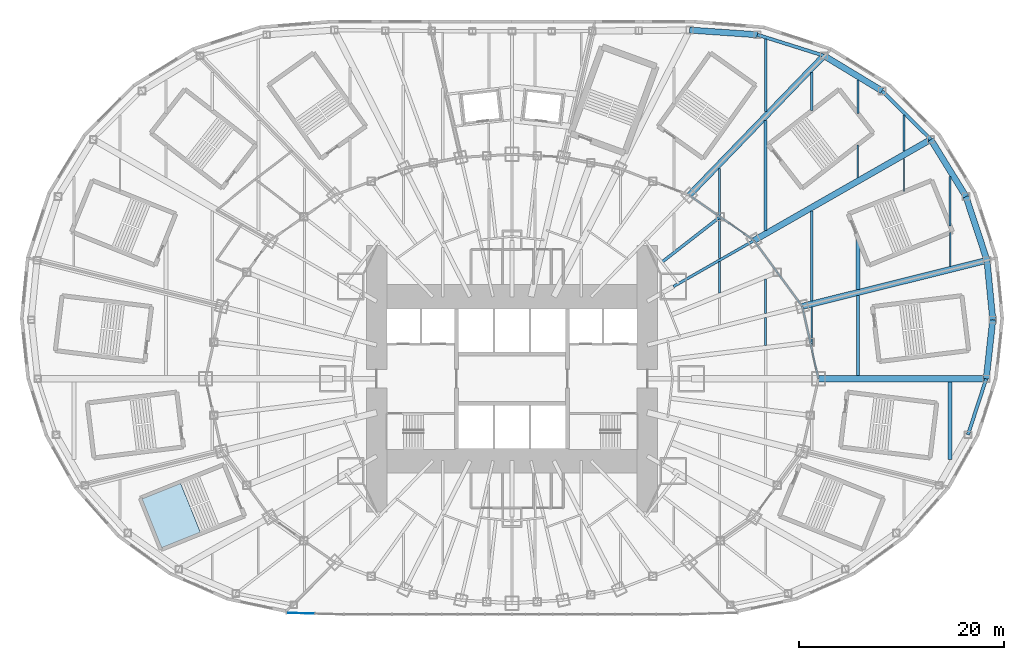
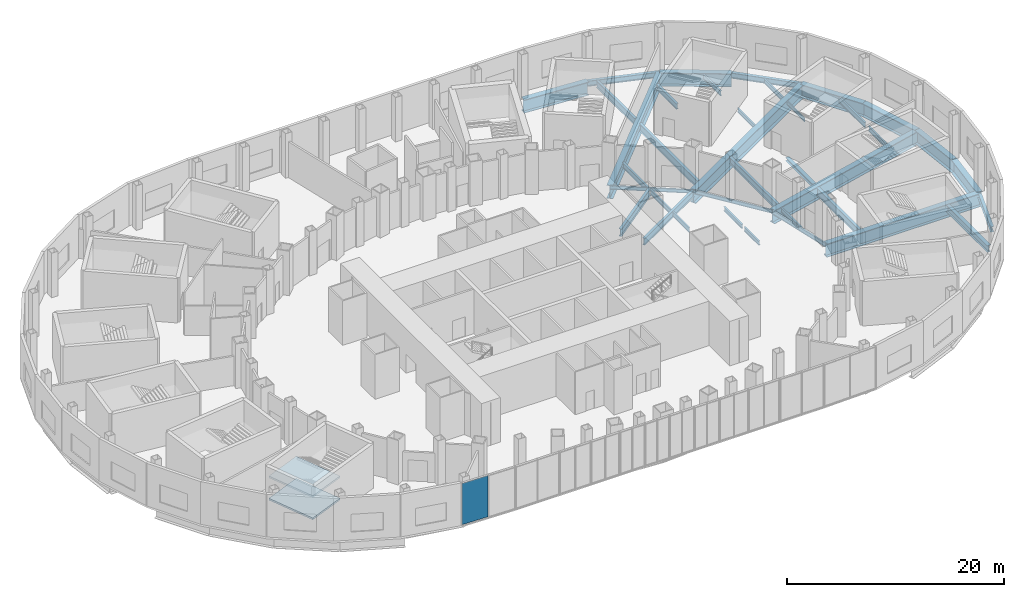
# One storey, part 10 of 73: 40 beams, 2 slabs, 1 plate, 2 elements without a shape of their own.
"""IFC4 building model written with IfcOpenShell, lengths in metres."""

from ifc_helpers import new_model, si_unit, direction, frame, origin, origin_2d, place, context, subcontext, project, spatial, polyline, rectangle, i_section, outline, extrude, material, layer, layer_set, material_profile, profile_set, type_object, element, aggregate, save


model = new_model("IFC4")

# Units and contexts
model_context = context("Model", 3, precision=1e-05, world=origin(), true_north=direction((0.0, 1.0)))
body_context = subcontext(model_context, "Body", "Model", "MODEL_VIEW")
ifc_project = project(units=[si_unit("LENGTHUNIT", "METRE"), si_unit("AREAUNIT", "SQUARE_METRE"), si_unit("VOLUMEUNIT", "CUBIC_METRE"), si_unit("PLANEANGLEUNIT", "RADIAN"), si_unit("MASSUNIT", "GRAM", prefix="KILO")], contexts=[model_context])

# Site, building, storey
site_placement = place(None, origin())
site = spatial("IfcSite", under=ifc_project, at=site_placement, CompositionType="ELEMENT")
building_placement = place(site_placement, origin())
building = spatial("IfcBuilding", under=site, at=building_placement, Name="Lantaw Convention Tower", CompositionType="ELEMENT")
storey_placement = place(building_placement, frame((0.0, 0.0, 22.0)))
storey = spatial("IfcBuildingStorey", under=building, at=storey_placement, Name="L03", CompositionType="ELEMENT", Elevation=22.0)

# Beams
ifc_material_1 = material(Name="Steel ASTM A572 Grade 50", Category="steel")
ifc_material_profile_1 = material_profile(ifc_material_1, i_section(OverallWidth=0.60009765625, OverallDepth=1.5, WebThickness=0.02490234375, FlangeThickness=0.06005859375, at=origin_2d()), Name="PG1500X600X25X60")
ifc_profile_set_1 = profile_set([ifc_material_profile_1], Name="Steel ASTM A572 Grade 50")
beam_type_1 = type_object("IfcBeamType", Name="Beam E PG1500X600X25X60", PredefinedType="SPANDREL", material=ifc_profile_set_1)
beam_1_placement = place(storey_placement, frame((46.2724609375, 0.0, -0.949951171875), z_axis=(0.109673093737, 0.993967712006, 0.0), x_axis=(-0.993967712006, 0.109673093737, 0.0)))
element("IfcBeam", 1, at=beam_1_placement, inside=storey, type_object=beam_type_1, Name="Podium edge beam R00", PredefinedType="SPANDREL", context=body_context, shape_type="SweptSolid", body=[
    extrude(i_section(OverallWidth=0.60009765625, OverallDepth=1.5, WebThickness=0.02490234375, FlangeThickness=0.06005859375, at=origin_2d()), origin(), (0.0, 0.0, 1.0), 5.79443359375),
])
beam_2_placement = place(storey_placement, frame((46.907958984375, 5.759521484375, -0.949951171875), z_axis=(-0.097112121047, 0.995273447825, 0.0), x_axis=(-0.995273447825, -0.097112121047, 0.0)))
element("IfcBeam", 2, at=beam_2_placement, inside=storey, type_object=beam_type_1, Name="Podium edge beam B00", PredefinedType="SPANDREL", context=body_context, shape_type="SweptSolid", body=[
    extrude(i_section(OverallWidth=0.60009765625, OverallDepth=1.5, WebThickness=0.02490234375, FlangeThickness=0.06005859375, at=origin_2d()), origin(), (0.0, 0.0, 1.0), 5.822509765625),
])
beam_3_placement = place(storey_placement, frame((46.342529296875, 11.554443359375, -0.949951171875), z_axis=(-0.312739573604, 0.949838912186, 0.0), x_axis=(-0.949838912186, -0.312739573604, 0.0)))
element("IfcBeam", 3, at=beam_3_placement, inside=storey, type_object=beam_type_1, Name="Podium edge beam R01", PredefinedType="SPANDREL", context=body_context, shape_type="SweptSolid", body=[
    extrude(i_section(OverallWidth=0.60009765625, OverallDepth=1.5, WebThickness=0.02490234375, FlangeThickness=0.06005859375, at=origin_2d()), origin(), (0.0, 0.0, 1.0), 6.55517578125),
])
beam_4_placement = place(storey_placement, frame((44.29248046875, 17.78076171875, -0.949951171875), z_axis=(-0.524178644867, 0.851608330317, 0.0), x_axis=(-0.851608330317, -0.524178644867, 0.0)))
element("IfcBeam", 4, at=beam_4_placement, inside=storey, type_object=beam_type_1, Name="Podium edge beam B01", PredefinedType="SPANDREL", context=body_context, shape_type="SweptSolid", body=[
    extrude(i_section(OverallWidth=0.60009765625, OverallDepth=1.5, WebThickness=0.02490234375, FlangeThickness=0.06005859375, at=origin_2d()), origin(), (0.0, 0.0, 1.0), 6.54052734375),
])
beam_5_placement = place(storey_placement, frame((36.107666015625, 28.081298828125, -0.949951171875), z_axis=(-0.855269526547, 0.518183400893, 0.0), x_axis=(-0.518183400893, -0.855269526547, 0.0)))
element("IfcBeam", 5, at=beam_5_placement, inside=storey, type_object=beam_type_1, Name="Podium edge beam B02", PredefinedType="SPANDREL", context=body_context, shape_type="SweptSolid", body=[
    extrude(i_section(OverallWidth=0.60009765625, OverallDepth=1.5, WebThickness=0.02490234375, FlangeThickness=0.06005859375, at=origin_2d()), origin(), (0.0, 0.0, 1.0), 6.63134765625),
])
beam_6_placement = place(storey_placement, frame((23.940185546875, 33.562744140625, -0.949951171875), z_axis=(-0.997615470709, 0.069017190627, 0.0), x_axis=(-0.069017190627, -0.997615470709, 0.0)))
element("IfcBeam", 6, at=beam_6_placement, inside=storey, type_object=beam_type_1, Name="Podium edge beam B03", PredefinedType="SPANDREL", context=body_context, shape_type="SweptSolid", body=[
    extrude(i_section(OverallWidth=0.60009765625, OverallDepth=1.5, WebThickness=0.02490234375, FlangeThickness=0.06005859375, at=origin_2d()), origin(), (0.0, 0.0, 1.0), 6.6220703125),
])
ifc_material_2 = material(Name="Steel ASTM A992", Category="steel")
ifc_material_profile_2 = material_profile(ifc_material_2, i_section(OverallWidth=0.140380859375, OverallDepth=0.40380859375, WebThickness=0.007080078125, FlangeThickness=0.01123046875, FilletRadius=0.01025390625, at=origin_2d()), Name="W16X31")
ifc_profile_set_2 = profile_set([ifc_material_profile_2], Name="Steel ASTM A992")
beam_type_2 = type_object("IfcBeamType", Name="Beam E W16X31", PredefinedType="SPANDREL", material=ifc_profile_set_2)
beam_7_placement = place(storey_placement, frame((28.31787109375, 7.060302734375, -0.40185546875), z_axis=(-0.591255937291, 0.806483984105, 0.0), x_axis=(-0.806483984105, -0.591255937291, 0.0)))
element("IfcBeam", 7, at=beam_7_placement, inside=storey, type_object=beam_type_2, Name="Edge beam 2", PredefinedType="SPANDREL", context=body_context, shape_type="SweptSolid", body=[
    extrude(i_section(OverallWidth=0.140380859375, OverallDepth=0.40380859375, WebThickness=0.007080078125, FlangeThickness=0.01123046875, FilletRadius=0.01025390625, at=origin_2d()), origin(), (0.0, 0.0, 1.0), 4.126708984375),
])
beam_8_placement = place(storey_placement, frame((25.8779296875, 10.388427734375, -0.40185546875), z_axis=(-0.591286566758, 0.806461527893, 0.0), x_axis=(-0.806461527893, -0.591286566758, 0.0)))
element("IfcBeam", 8, at=beam_8_placement, inside=storey, type_object=beam_type_2, Name="Edge beam 2", PredefinedType="SPANDREL", context=body_context, shape_type="SweptSolid", body=[
    extrude(i_section(OverallWidth=0.140380859375, OverallDepth=0.40380859375, WebThickness=0.007080078125, FlangeThickness=0.01123046875, FilletRadius=0.01025390625, at=origin_2d()), origin(), (0.0, 0.0, 1.0), 3.843994140625),
])
beam_9_placement = place(storey_placement, frame((23.60498046875, 13.488525390625, -0.40185546875), z_axis=(-0.819442856133, 0.573160889744, 0.0), x_axis=(-0.573160889744, -0.819442856133, 0.0)))
element("IfcBeam", 9, at=beam_9_placement, inside=storey, type_object=beam_type_2, Name="Edge beam 3", PredefinedType="SPANDREL", context=body_context, shape_type="SweptSolid", body=[
    extrude(i_section(OverallWidth=0.140380859375, OverallDepth=0.40380859375, WebThickness=0.007080078125, FlangeThickness=0.01123046875, FilletRadius=0.01025390625, at=origin_2d()), origin(), (0.0, 0.0, 1.0), 4.022705078125),
])
beam_10_placement = place(storey_placement, frame((20.30859375, 15.794189453125, -0.40185546875), z_axis=(-0.819409395821, 0.573208724672, 0.0), x_axis=(-0.573208724672, -0.819409395821, 0.0)))
element("IfcBeam", 10, at=beam_10_placement, inside=storey, type_object=beam_type_2, Name="Edge beam 3", PredefinedType="SPANDREL", context=body_context, shape_type="SweptSolid", body=[
    extrude(i_section(OverallWidth=0.140380859375, OverallDepth=0.40380859375, WebThickness=0.007080078125, FlangeThickness=0.01123046875, FilletRadius=0.01025390625, at=origin_2d()), origin(), (0.0, 0.0, 1.0), 3.682861328125),
])
ifc_material_profile_3 = material_profile(ifc_material_2, i_section(OverallWidth=0.15234375, OverallDepth=0.449462890625, WebThickness=0.007568359375, FlangeThickness=0.0107421875, FilletRadius=0.01025390625, at=origin_2d()), Name="W18X35")
ifc_profile_set_3 = profile_set([ifc_material_profile_3], Name="Steel ASTM A992")
beam_type_3 = type_object("IfcBeamType", Name="Beam E W18X35", PredefinedType="SPANDREL", material=ifc_profile_set_3)
beam_11_placement = place(storey_placement, frame((29.89990234375, 0.0, -0.4248046875), z_axis=(-0.218631550323, 0.975807483679, 0.0), x_axis=(-0.975807483679, -0.218631550323, 0.0)))
element("IfcBeam", 11, at=beam_11_placement, inside=storey, type_object=beam_type_3, Name="Edge beam 1", PredefinedType="SPANDREL", context=body_context, shape_type="SweptSolid", body=[
    extrude(i_section(OverallWidth=0.15234375, OverallDepth=0.449462890625, WebThickness=0.007568359375, FlangeThickness=0.0107421875, FilletRadius=0.01025390625, at=origin_2d()), origin(), (0.0, 0.0, 1.0), 3.66162109375),
])
beam_12_placement = place(storey_placement, frame((29.099365234375, 3.572998046875, -0.4248046875), z_axis=(-0.218673326171, 0.97579812278, 0.0), x_axis=(-0.97579812278, -0.218673326171, 0.0)))
element("IfcBeam", 12, at=beam_12_placement, inside=storey, type_object=beam_type_3, Name="Edge beam 1", PredefinedType="SPANDREL", context=body_context, shape_type="SweptSolid", body=[
    extrude(i_section(OverallWidth=0.15234375, OverallDepth=0.449462890625, WebThickness=0.007568359375, FlangeThickness=0.0107421875, FilletRadius=0.01025390625, at=origin_2d()), origin(), (0.0, 0.0, 1.0), 3.57373046875),
])
ifc_material_profile_4 = material_profile(ifc_material_2, i_section(OverallWidth=0.3251953125, OverallDepth=0.612060546875, WebThickness=0.0126953125, FlangeThickness=0.01904296875, FilletRadius=0.0126953125, at=origin_2d()), Name="W24X104")
ifc_profile_set_4 = profile_set([ifc_material_profile_4], Name="Steel ASTM A992")
beam_type_4 = type_object("IfcBeamType", Name="Beam E W24X104", PredefinedType="SPANDREL", material=ifc_profile_set_4)
beam_13_placement = place(storey_placement, frame((40.864013671875, 23.350830078125, -0.506103515625), z_axis=(-0.709033046271, 0.705175254314, 0.0), x_axis=(-0.705175254314, -0.709033046271, 0.0)))
element("IfcBeam", 13, at=beam_13_placement, inside=storey, type_object=beam_type_4, Name="Podium edge beam R02", PredefinedType="SPANDREL", context=body_context, shape_type="SweptSolid", body=[
    extrude(i_section(OverallWidth=0.3251953125, OverallDepth=0.612060546875, WebThickness=0.0126953125, FlangeThickness=0.01904296875, FilletRadius=0.0126953125, at=origin_2d()), origin(), (0.0, 0.0, 1.0), 6.708251953125),
])
beam_14_placement = place(storey_placement, frame((30.43603515625, 31.517578125, -0.506103515625), z_axis=(-0.953841834513, 0.300309431643, 0.0), x_axis=(-0.300309431643, -0.953841834513, 0.0)))
element("IfcBeam", 14, at=beam_14_placement, inside=storey, type_object=beam_type_4, Name="Podium edge beam R03", PredefinedType="SPANDREL", context=body_context, shape_type="SweptSolid", body=[
    extrude(i_section(OverallWidth=0.3251953125, OverallDepth=0.612060546875, WebThickness=0.0126953125, FlangeThickness=0.01904296875, FilletRadius=0.0126953125, at=origin_2d()), origin(), (0.0, 0.0, 1.0), 6.810302734375),
])
beam_15_placement = place(storey_placement, frame((44.488525390625, -5.46240234375, -0.506103515625), z_axis=(0.310448009473, 0.950590360468, 0.0), x_axis=(-0.950590360468, 0.310448009473, 0.0)))
element("IfcBeam", 15, at=beam_15_placement, inside=storey, type_object=beam_type_4, Name="Podium edge beam B23", PredefinedType="SPANDREL", context=body_context, shape_type="SweptSolid", body=[
    extrude(i_section(OverallWidth=0.3251953125, OverallDepth=0.612060546875, WebThickness=0.0126953125, FlangeThickness=0.01904296875, FilletRadius=0.0126953125, at=origin_2d()), origin(), (0.0, 0.0, 1.0), 5.746337890625),
])
ifc_material_profile_5 = material_profile(ifc_material_2, i_section(OverallWidth=0.2666015625, OverallDepth=0.76953125, WebThickness=0.015625, FlangeThickness=0.025390625, FilletRadius=0.0126953125, at=origin_2d()), Name="W30X132")
ifc_profile_set_5 = profile_set([ifc_material_profile_5], Name="Steel ASTM A992")
beam_type_5 = type_object("IfcBeamType", Name="Beam G W30X132", PredefinedType="BEAM", material=ifc_profile_set_5)
beam_16_placement = place(storey_placement, frame((15.75, 9.0, -0.584716796875), z_axis=(0.868244802791, 0.496136032179, 0.0), x_axis=(-0.496136032179, 0.868244802791, 0.0)))
element("IfcBeam", 16, at=beam_16_placement, inside=storey, type_object=beam_type_5, Name="Floor girder on ray 3", PredefinedType="BEAM", context=body_context, shape_type="SweptSolid", body=[
    extrude(i_section(OverallWidth=0.2666015625, OverallDepth=0.76953125, WebThickness=0.015625, FlangeThickness=0.025390625, FilletRadius=0.0126953125, at=origin_2d()), origin(), (0.0, 0.0, 1.0), 9.046875),
])
ifc_material_profile_6 = material_profile(ifc_material_2, i_section(OverallWidth=0.2919921875, OverallDepth=0.845703125, WebThickness=0.015380859375, FlangeThickness=0.0244140625, FilletRadius=0.01513671875, at=origin_2d()), Name="W33X141")
ifc_profile_set_6 = profile_set([ifc_material_profile_6], Name="Steel ASTM A992")
beam_type_6 = type_object("IfcBeamType", Name="Beam G W33X141", PredefinedType="BEAM", material=ifc_profile_set_6)
beam_17_placement = place(storey_placement, frame((14.628173828125, 11.37646484375, -0.622802734375), z_axis=(0.789377792374, 0.613907729961, 0.0), x_axis=(-0.613907729961, 0.789377792374, 0.0)))
element("IfcBeam", 17, at=beam_17_placement, inside=storey, type_object=beam_type_6, Name="Floor girder on bisector 3", PredefinedType="BEAM", context=body_context, shape_type="SweptSolid", body=[
    extrude(i_section(OverallWidth=0.2919921875, OverallDepth=0.845703125, WebThickness=0.015380859375, FlangeThickness=0.0244140625, FilletRadius=0.01513671875, at=origin_2d()), origin(), (0.0, 0.0, 1.0), 7.196044921875),
])
ifc_material_profile_7 = material_profile(ifc_material_2, i_section(OverallWidth=0.396240234375, OverallDepth=0.381103515625, WebThickness=0.01904296875, FlangeThickness=0.0302734375, FilletRadius=0.01513671875, at=origin_2d()), Name="W14X159")
ifc_profile_set_7 = profile_set([ifc_material_profile_7], Name="Steel ASTM A992")
beam_type_7 = type_object("IfcBeamType", Name="Beam J W14X159", PredefinedType="JOIST", material=ifc_profile_set_7)
beam_18_placement = place(storey_placement, frame((33.75, 8.72412109375, -0.390380859375), z_axis=(0.0, 1.0, 0.0), x_axis=(-1.0, 0.0, 0.0)))
element("IfcBeam", 18, at=beam_18_placement, inside=storey, type_object=beam_type_7, Name="Floor joist", PredefinedType="JOIST", context=body_context, shape_type="SweptSolid", body=[
    extrude(i_section(OverallWidth=0.396240234375, OverallDepth=0.381103515625, WebThickness=0.01904296875, FlangeThickness=0.0302734375, FilletRadius=0.01513671875, at=origin_2d()), origin(), (0.0, 0.0, 1.0), 4.986328125),
])
ifc_material_profile_8 = material_profile(ifc_material_2, i_section(OverallWidth=0.140380859375, OverallDepth=0.40380859375, WebThickness=0.007080078125, FlangeThickness=0.01123046875, FilletRadius=0.01025390625, at=origin_2d()), Name="W16X31")
ifc_profile_set_8 = profile_set([ifc_material_profile_8], Name="Steel ASTM A992")
beam_type_8 = type_object("IfcBeamType", Name="Beam J W16X31", PredefinedType="JOIST", material=ifc_profile_set_8)
beam_19_placement = place(storey_placement, frame((38.25, 18.264404296875, -0.40185546875), z_axis=(0.0, 1.0, 0.0), x_axis=(-1.0, 0.0, 0.0)))
element("IfcBeam", 19, at=beam_19_placement, inside=storey, type_object=beam_type_8, Name="Floor joist", PredefinedType="JOIST", context=body_context, shape_type="SweptSolid", body=[
    extrude(i_section(OverallWidth=0.140380859375, OverallDepth=0.40380859375, WebThickness=0.007080078125, FlangeThickness=0.01123046875, FilletRadius=0.01025390625, at=origin_2d()), origin(), (0.0, 0.0, 1.0), 3.247314453125),
])
ifc_material_profile_9 = material_profile(ifc_material_2, i_section(OverallWidth=0.15234375, OverallDepth=0.449462890625, WebThickness=0.007568359375, FlangeThickness=0.0107421875, FilletRadius=0.01025390625, at=origin_2d()), Name="W18X35")
ifc_profile_set_9 = profile_set([ifc_material_profile_9], Name="Steel ASTM A992")
beam_type_9 = type_object("IfcBeamType", Name="Beam J W18X35", PredefinedType="JOIST", material=ifc_profile_set_9)
beam_20_placement = place(storey_placement, frame((33.75, 19.63134765625, -0.4248046875), z_axis=(0.0, 1.0, 0.0), x_axis=(-1.0, 0.0, 0.0)))
element("IfcBeam", 20, at=beam_20_placement, inside=storey, type_object=beam_type_9, Name="Floor joist", PredefinedType="JOIST", context=body_context, shape_type="SweptSolid", body=[
    extrude(i_section(OverallWidth=0.15234375, OverallDepth=0.449462890625, WebThickness=0.007568359375, FlangeThickness=0.0107421875, FilletRadius=0.01025390625, at=origin_2d()), origin(), (0.0, 0.0, 1.0), 3.19580078125),
])
ifc_material_profile_10 = material_profile(ifc_material_2, i_section(OverallWidth=0.1904296875, OverallDepth=0.457275390625, WebThickness=0.009033203125, FlangeThickness=0.014404296875, FilletRadius=0.01025390625, at=origin_2d()), Name="W18X50")
ifc_profile_set_10 = profile_set([ifc_material_profile_10], Name="Steel ASTM A992")
beam_type_10 = type_object("IfcBeamType", Name="Beam J W18X50", PredefinedType="JOIST", material=ifc_profile_set_10)
beam_21_placement = place(storey_placement, frame((24.75, 3.251220703125, -0.4287109375), z_axis=(0.0, 1.0, 0.0), x_axis=(-1.0, 0.0, 0.0)))
element("IfcBeam", 21, at=beam_21_placement, inside=storey, type_object=beam_type_10, Name="Floor joist", PredefinedType="JOIST", context=body_context, shape_type="SweptSolid", body=[
    extrude(i_section(OverallWidth=0.1904296875, OverallDepth=0.457275390625, WebThickness=0.009033203125, FlangeThickness=0.014404296875, FilletRadius=0.01025390625, at=origin_2d()), origin(), (0.0, 0.0, 1.0), 2.71142578125),
])
beam_22_placement = place(storey_placement, frame((24.75, 6.37890625, -0.4287109375), z_axis=(0.0, 1.0, 0.0), x_axis=(-1.0, 0.0, 0.0)))
element("IfcBeam", 22, at=beam_22_placement, inside=storey, type_object=beam_type_10, Name="Floor joist", PredefinedType="JOIST", context=body_context, shape_type="SweptSolid", body=[
    extrude(i_section(OverallWidth=0.1904296875, OverallDepth=0.457275390625, WebThickness=0.009033203125, FlangeThickness=0.014404296875, FilletRadius=0.01025390625, at=origin_2d()), origin(), (0.0, 0.0, 1.0), 3.32958984375),
])
ifc_material_profile_11 = material_profile(ifc_material_2, i_section(OverallWidth=0.1650390625, OverallDepth=0.52587890625, WebThickness=0.0087890625, FlangeThickness=0.011474609375, FilletRadius=0.0126953125, at=origin_2d()), Name="W21X44")
ifc_profile_set_11 = profile_set([ifc_material_profile_11], Name="Steel ASTM A992")
beam_type_11 = type_object("IfcBeamType", Name="Beam J W21X44", PredefinedType="JOIST", material=ifc_profile_set_11)
beam_23_placement = place(storey_placement, frame((20.25, 8.3564453125, -0.462890625), z_axis=(0.0, 1.0, 0.0), x_axis=(-1.0, 0.0, 0.0)))
element("IfcBeam", 23, at=beam_23_placement, inside=storey, type_object=beam_type_11, Name="Floor joist", PredefinedType="JOIST", context=body_context, shape_type="SweptSolid", body=[
    extrude(i_section(OverallWidth=0.1650390625, OverallDepth=0.52587890625, WebThickness=0.0087890625, FlangeThickness=0.011474609375, FilletRadius=0.0126953125, at=origin_2d()), origin(), (0.0, 0.0, 1.0), 3.0615234375),
])
beam_24_placement = place(storey_placement, frame((29.25, 3.2490234375, -0.462890625), z_axis=(0.0, 1.0, 0.0), x_axis=(-1.0, 0.0, 0.0)))
element("IfcBeam", 24, at=beam_24_placement, inside=storey, type_object=beam_type_11, Name="Floor joist", PredefinedType="JOIST", context=body_context, shape_type="SweptSolid", body=[
    extrude(i_section(OverallWidth=0.1650390625, OverallDepth=0.52587890625, WebThickness=0.0087890625, FlangeThickness=0.011474609375, FilletRadius=0.0126953125, at=origin_2d()), origin(), (0.0, 0.0, 1.0), 3.734619140625),
])
beam_25_placement = place(storey_placement, frame((33.75, 25.900390625, -0.462890625), z_axis=(0.0, 1.0, 0.0), x_axis=(-1.0, 0.0, 0.0)))
element("IfcBeam", 25, at=beam_25_placement, inside=storey, type_object=beam_type_11, Name="Floor joist", PredefinedType="JOIST", context=body_context, shape_type="SweptSolid", body=[
    extrude(i_section(OverallWidth=0.1650390625, OverallDepth=0.52587890625, WebThickness=0.0087890625, FlangeThickness=0.011474609375, FilletRadius=0.0126953125, at=origin_2d()), origin(), (0.0, 0.0, 1.0), 3.258544921875),
])
beam_26_placement = place(storey_placement, frame((38.25, 22.20263671875, -0.462890625), z_axis=(0.0, 1.0, 0.0), x_axis=(-1.0, 0.0, 0.0)))
element("IfcBeam", 26, at=beam_26_placement, inside=storey, type_object=beam_type_11, Name="Floor joist", PredefinedType="JOIST", context=body_context, shape_type="SweptSolid", body=[
    extrude(i_section(OverallWidth=0.1650390625, OverallDepth=0.52587890625, WebThickness=0.0087890625, FlangeThickness=0.011474609375, FilletRadius=0.0126953125, at=origin_2d()), origin(), (0.0, 0.0, 1.0), 3.518798828125),
])
beam_27_placement = place(storey_placement, frame((42.75, 10.968017578125, -0.462890625), z_axis=(0.0, 1.0, 0.0), x_axis=(-1.0, 0.0, 0.0)))
element("IfcBeam", 27, at=beam_27_placement, inside=storey, type_object=beam_type_11, Name="Floor joist", PredefinedType="JOIST", context=body_context, shape_type="SweptSolid", body=[
    extrude(i_section(OverallWidth=0.1650390625, OverallDepth=0.52587890625, WebThickness=0.0087890625, FlangeThickness=0.011474609375, FilletRadius=0.0126953125, at=origin_2d()), origin(), (0.0, 0.0, 1.0), 3.2841796875),
])
ifc_material_profile_12 = material_profile(ifc_material_2, i_section(OverallWidth=0.16650390625, OverallDepth=0.535888671875, WebThickness=0.01025390625, FlangeThickness=0.0166015625, FilletRadius=0.0126953125, at=origin_2d()), Name="W21X57")
ifc_profile_set_12 = profile_set([ifc_material_profile_12], Name="Steel ASTM A992")
beam_type_12 = type_object("IfcBeamType", Name="Beam J W21X57", PredefinedType="JOIST", material=ifc_profile_set_12)
beam_28_placement = place(storey_placement, frame((20.25, 11.72509765625, -0.468017578125), z_axis=(0.0, 1.0, 0.0), x_axis=(-1.0, 0.0, 0.0)))
element("IfcBeam", 28, at=beam_28_placement, inside=storey, type_object=beam_type_12, Name="Floor joist", PredefinedType="JOIST", context=body_context, shape_type="SweptSolid", body=[
    extrude(i_section(OverallWidth=0.16650390625, OverallDepth=0.535888671875, WebThickness=0.01025390625, FlangeThickness=0.0166015625, FilletRadius=0.0126953125, at=origin_2d()), origin(), (0.0, 0.0, 1.0), 3.83837890625),
])
ifc_material_profile_13 = material_profile(ifc_material_2, i_section(OverallWidth=0.177978515625, OverallDepth=0.599365234375, WebThickness=0.010009765625, FlangeThickness=0.012939453125, FilletRadius=0.012939453125, at=origin_2d()), Name="W24X55")
ifc_profile_set_13 = profile_set([ifc_material_profile_13], Name="Steel ASTM A992")
beam_type_13 = type_object("IfcBeamType", Name="Beam J W24X55", PredefinedType="JOIST", material=ifc_profile_set_13)
beam_29_placement = place(storey_placement, frame((42.75, 14.91259765625, -0.499755859375), z_axis=(0.0, 1.0, 0.0), x_axis=(-1.0, 0.0, 0.0)))
element("IfcBeam", 29, at=beam_29_placement, inside=storey, type_object=beam_type_13, Name="Floor joist", PredefinedType="JOIST", context=body_context, shape_type="SweptSolid", body=[
    extrude(i_section(OverallWidth=0.177978515625, OverallDepth=0.599365234375, WebThickness=0.010009765625, FlangeThickness=0.012939453125, FilletRadius=0.012939453125, at=origin_2d()), origin(), (0.0, 0.0, 1.0), 4.8017578125),
])
ifc_material_profile_14 = material_profile(ifc_material_2, i_section(OverallWidth=0.22900390625, OverallDepth=0.612060546875, WebThickness=0.011962890625, FlangeThickness=0.01953125, FilletRadius=0.0126953125, at=origin_2d()), Name="W24X84")
ifc_profile_set_14 = profile_set([ifc_material_profile_14], Name="Steel ASTM A992")
beam_type_14 = type_object("IfcBeamType", Name="Beam J W24X84", PredefinedType="JOIST", material=ifc_profile_set_14)
beam_30_placement = place(storey_placement, frame((20.25, 15.9208984375, -0.506103515625), z_axis=(0.0, 1.0, 0.0), x_axis=(-1.0, 0.0, 0.0)))
element("IfcBeam", 30, at=beam_30_placement, inside=storey, type_object=beam_type_14, Name="Floor joist", PredefinedType="JOIST", context=body_context, shape_type="SweptSolid", body=[
    extrude(i_section(OverallWidth=0.22900390625, OverallDepth=0.612060546875, WebThickness=0.011962890625, FlangeThickness=0.01953125, FilletRadius=0.0126953125, at=origin_2d()), origin(), (0.0, 0.0, 1.0), 4.61669921875),
])
beam_31_placement = place(storey_placement, frame((29.25, 26.16845703125, -0.506103515625), z_axis=(0.0, 1.0, 0.0), x_axis=(-1.0, 0.0, 0.0)))
element("IfcBeam", 31, at=beam_31_placement, inside=storey, type_object=beam_type_14, Name="Floor joist", PredefinedType="JOIST", context=body_context, shape_type="SweptSolid", body=[
    extrude(i_section(OverallWidth=0.22900390625, OverallDepth=0.612060546875, WebThickness=0.011962890625, FlangeThickness=0.01953125, FilletRadius=0.0126953125, at=origin_2d()), origin(), (0.0, 0.0, 1.0), 3.68896484375),
])
ifc_material_profile_15 = material_profile(ifc_material_2, i_section(OverallWidth=0.2666015625, OverallDepth=0.7568359375, WebThickness=0.013916015625, FlangeThickness=0.019287109375, FilletRadius=0.0126953125, at=origin_2d()), Name="W30X108")
ifc_profile_set_15 = profile_set([ifc_material_profile_15], Name="Steel ASTM A992")
beam_type_15 = type_object("IfcBeamType", Name="Beam J W30X108", PredefinedType="JOIST", material=ifc_profile_set_15)
beam_32_placement = place(storey_placement, frame((24.75, 26.061279296875, -0.578369140625), z_axis=(0.0, 1.0, 0.0), x_axis=(-1.0, 0.0, 0.0)))
element("IfcBeam", 32, at=beam_32_placement, inside=storey, type_object=beam_type_15, Name="Floor joist", PredefinedType="JOIST", context=body_context, shape_type="SweptSolid", body=[
    extrude(i_section(OverallWidth=0.2666015625, OverallDepth=0.7568359375, WebThickness=0.013916015625, FlangeThickness=0.019287109375, FilletRadius=0.0126953125, at=origin_2d()), origin(), (0.0, 0.0, 1.0), 7.076171875),
])
beam_33_placement = place(storey_placement, frame((29.25, 7.60205078125, -0.578369140625), z_axis=(0.0, 1.0, 0.0), x_axis=(-1.0, 0.0, 0.0)))
element("IfcBeam", 33, at=beam_33_placement, inside=storey, type_object=beam_type_15, Name="Floor joist", PredefinedType="JOIST", context=body_context, shape_type="SweptSolid", body=[
    extrude(i_section(OverallWidth=0.2666015625, OverallDepth=0.7568359375, WebThickness=0.013916015625, FlangeThickness=0.019287109375, FilletRadius=0.0126953125, at=origin_2d()), origin(), (0.0, 0.0, 1.0), 8.7666015625),
])
ifc_material_profile_16 = material_profile(ifc_material_2, i_section(OverallWidth=0.381103515625, OverallDepth=0.772216796875, WebThickness=0.0166015625, FlangeThickness=0.027099609375, FilletRadius=0.0146484375, at=origin_2d()), Name="W30X173")
ifc_profile_set_16 = profile_set([ifc_material_profile_16], Name="Steel ASTM A992")
beam_type_16 = type_object("IfcBeamType", Name="Beam J W30X173", PredefinedType="JOIST", material=ifc_profile_set_16)
beam_34_placement = place(storey_placement, frame((42.75, -7.89990234375, -0.586181640625), z_axis=(0.0, 1.0, 0.0), x_axis=(-1.0, 0.0, 0.0)))
element("IfcBeam", 34, at=beam_34_placement, inside=storey, type_object=beam_type_16, Name="Floor joist", PredefinedType="JOIST", context=body_context, shape_type="SweptSolid", body=[
    extrude(i_section(OverallWidth=0.381103515625, OverallDepth=0.772216796875, WebThickness=0.0166015625, FlangeThickness=0.027099609375, FilletRadius=0.0146484375, at=origin_2d()), origin(), (0.0, 0.0, 1.0), 7.599853515625),
])
ifc_material_profile_17 = material_profile(ifc_material_2, i_section(OverallWidth=0.2919921875, OverallDepth=0.845703125, WebThickness=0.015380859375, FlangeThickness=0.0244140625, FilletRadius=0.01513671875, at=origin_2d()), Name="W33X141")
ifc_profile_set_17 = profile_set([ifc_material_profile_17], Name="Steel ASTM A992")
beam_type_17 = type_object("IfcBeamType", Name="Beam J W33X141", PredefinedType="JOIST", material=ifc_profile_set_17)
beam_35_placement = place(storey_placement, frame((24.75, 14.48828125, -0.622802734375), z_axis=(0.0, 1.0, 0.0), x_axis=(-1.0, 0.0, 0.0)))
element("IfcBeam", 35, at=beam_35_placement, inside=storey, type_object=beam_type_17, Name="Floor joist", PredefinedType="JOIST", context=body_context, shape_type="SweptSolid", body=[
    extrude(i_section(OverallWidth=0.2919921875, OverallDepth=0.845703125, WebThickness=0.015380859375, FlangeThickness=0.0244140625, FilletRadius=0.01513671875, at=origin_2d()), origin(), (0.0, 0.0, 1.0), 10.709228515625),
])
beam_36_placement = place(storey_placement, frame((33.75, 0.300048828125, -0.622802734375), z_axis=(0.0, 1.0, 0.0), x_axis=(-1.0, 0.0, 0.0)))
element("IfcBeam", 36, at=beam_36_placement, inside=storey, type_object=beam_type_17, Name="Floor joist", PredefinedType="JOIST", context=body_context, shape_type="SweptSolid", body=[
    extrude(i_section(OverallWidth=0.2919921875, OverallDepth=0.845703125, WebThickness=0.015380859375, FlangeThickness=0.0244140625, FilletRadius=0.01513671875, at=origin_2d()), origin(), (0.0, 0.0, 1.0), 7.8056640625),
])
ifc_material_profile_18 = material_profile(ifc_material_1, i_section(OverallWidth=0.60009765625, OverallDepth=1.5, WebThickness=0.02490234375, FlangeThickness=0.06005859375, at=origin_2d()), Name="PG1500X600X25X60")
ifc_profile_set_18 = profile_set([ifc_material_profile_18], Name="Steel ASTM A572 Grade 50")
beam_type_18 = type_object("IfcBeamType", Name="Beam PG PG1500X600X25X60", PredefinedType="BEAM", material=ifc_profile_set_18)
beam_37_placement = place(storey_placement, frame((29.89990234375, 0.0, -0.949951171875), z_axis=(1.0, 0.0, 0.0), x_axis=(0.0, 1.0, 0.0)))
element("IfcBeam", 37, at=beam_37_placement, inside=storey, type_object=beam_type_18, Name="Podium girder PR01", PredefinedType="BEAM", context=body_context, shape_type="SweptSolid", body=[
    extrude(i_section(OverallWidth=0.60009765625, OverallDepth=1.5, WebThickness=0.02490234375, FlangeThickness=0.06005859375, at=origin_2d()), origin(), (0.0, 0.0, 1.0), 16.37255859375),
])
beam_38_placement = place(storey_placement, frame((28.31787109375, 7.060302734375, -0.949951171875), z_axis=(0.970294606785, 0.24192638559, 0.0), x_axis=(-0.24192638559, 0.970294606785, 0.0)))
element("IfcBeam", 38, at=beam_38_placement, inside=storey, type_object=beam_type_18, Name="Podium girder PR02", PredefinedType="BEAM", context=body_context, shape_type="SweptSolid", body=[
    extrude(i_section(OverallWidth=0.60009765625, OverallDepth=1.5, WebThickness=0.02490234375, FlangeThickness=0.06005859375, at=origin_2d()), origin(), (0.0, 0.0, 1.0), 18.576416015625),
])
beam_39_placement = place(storey_placement, frame((23.60498046875, 13.488525390625, -0.949951171875), z_axis=(0.868243142124, 0.496138938357, 0.0), x_axis=(-0.496138938357, 0.868243142124, 0.0)))
element("IfcBeam", 39, at=beam_39_placement, inside=storey, type_object=beam_type_18, Name="Podium girder PR03", PredefinedType="BEAM", context=body_context, shape_type="SweptSolid", body=[
    extrude(i_section(OverallWidth=0.60009765625, OverallDepth=1.5, WebThickness=0.02490234375, FlangeThickness=0.06005859375, at=origin_2d()), origin(), (0.0, 0.0, 1.0), 19.878173828125),
])
beam_40_placement = place(storey_placement, frame((17.290771484375, 17.9052734375, -0.949951171875), z_axis=(0.694658748795, 0.719339434984, 0.0), x_axis=(-0.719339434984, 0.694658748795, 0.0)))
element("IfcBeam", 40, at=beam_40_placement, inside=storey, type_object=beam_type_18, Name="Podium girder PR04", PredefinedType="BEAM", context=body_context, shape_type="SweptSolid", body=[
    extrude(i_section(OverallWidth=0.60009765625, OverallDepth=1.5, WebThickness=0.02490234375, FlangeThickness=0.06005859375, at=origin_2d()), origin(), (0.0, 0.0, 1.0), 18.92333984375),
])

# Curtain wall, plate
ifc_material_3 = material(Name="Aluminium framed curtain wall", Category="aluminium")
curtain_wall_type = type_object("IfcCurtainWallType", Name="Podium storefront curtain wall, pale aluminium", PredefinedType="USERDEFINED", material=ifc_material_3)
curtain_wall_placement = place(storey_placement, origin())
curtain_wall = element("IfcCurtainWall", 41, at=curtain_wall_placement, inside=storey, type_object=curtain_wall_type, Name="Podium storefront curtain wall, pale aluminium L03", ObjectType="STOREFRONT", PredefinedType="USERDEFINED")
ifc_material_4 = material(Name="Laminated clear glass", Category="glass")
ifc_layer_1 = layer(ifc_material_4, 0.031982421875)
ifc_layer_set_1 = layer_set([ifc_layer_1], Name="CW-P panel 32")
plate_type = type_object("IfcPlateType", Name="CW-P panel 32", PredefinedType="CURTAIN_PANEL", material=ifc_layer_set_1)
plate_placement = place(storey_placement, frame((-20.622802734375, -22.879638671875, 0.080078125), z_axis=(0.0, 0.0, 1.0), x_axis=(0.99959230263, -0.028552206976, 0.0)))
plate = element("IfcPlate", 42, at=plate_placement, type_object=plate_type, Name="CW-P panel 1.1", PredefinedType="CURTAIN_PANEL", context=body_context, shape_type="SweptSolid", body=[
    extrude(rectangle(XDim=2.705810546875, YDim=0.031982421875, at=origin_2d()), origin(), (0.0, 0.0, 1.0), 4.639892578125),
])
aggregate(curtain_wall, [plate])

# Stair, slabs
ifc_material_5 = material(Name="Concrete C35/45", Category="concrete")
stair_type = type_object("IfcStairType", Name="Exit stair 2400 riser 156.25 in 4 flights", PredefinedType="HALF_TURN_STAIR", material=ifc_material_5)
stair_placement = place(storey_placement, origin())
stair = element("IfcStair", 43, at=stair_placement, inside=storey, type_object=stair_type, Name="Podium exit stair P11 L03", PredefinedType="HALF_TURN_STAIR")
ifc_layer_2 = layer(ifc_material_5, 0.199951171875)
ifc_layer_set_2 = layer_set([ifc_layer_2], Name="Stair landing 200")
slab_type = type_object("IfcSlabType", Name="Stair landing 200", PredefinedType="LANDING", material=ifc_layer_set_2)
slab_1_placement = place(storey_placement, frame((0.0, 0.0, 1.050048828125)))
slab_1 = element("IfcSlab", 44, at=slab_1_placement, type_object=slab_type, Name="P11 landing 2", PredefinedType="LANDING", context=body_context, shape_type="SweptSolid", body=[
    extrude(outline(polyline([(-32.330322265625, -10.198486328125), (-36.109130859375, -11.715576171875), (-34.186767578125, -16.504150390625), (-30.407958984375, -14.987060546875), (-32.330322265625, -10.198486328125)])), origin(), (0.0, 0.0, 1.0), 0.199951171875),
])
slab_2_placement = place(storey_placement, frame((0.0, 0.0, 3.550048828125)))
slab_2 = element("IfcSlab", 45, at=slab_2_placement, type_object=slab_type, Name="P11 landing 4", PredefinedType="LANDING", context=body_context, shape_type="SweptSolid", body=[
    extrude(outline(polyline([(-32.330322265625, -10.198486328125), (-36.109130859375, -11.715576171875), (-34.186767578125, -16.504150390625), (-30.407958984375, -14.987060546875), (-32.330322265625, -10.198486328125)])), origin(), (0.0, 0.0, 1.0), 0.199951171875),
])
aggregate(stair, [slab_1, slab_2])

save(model, "model.ifc")
